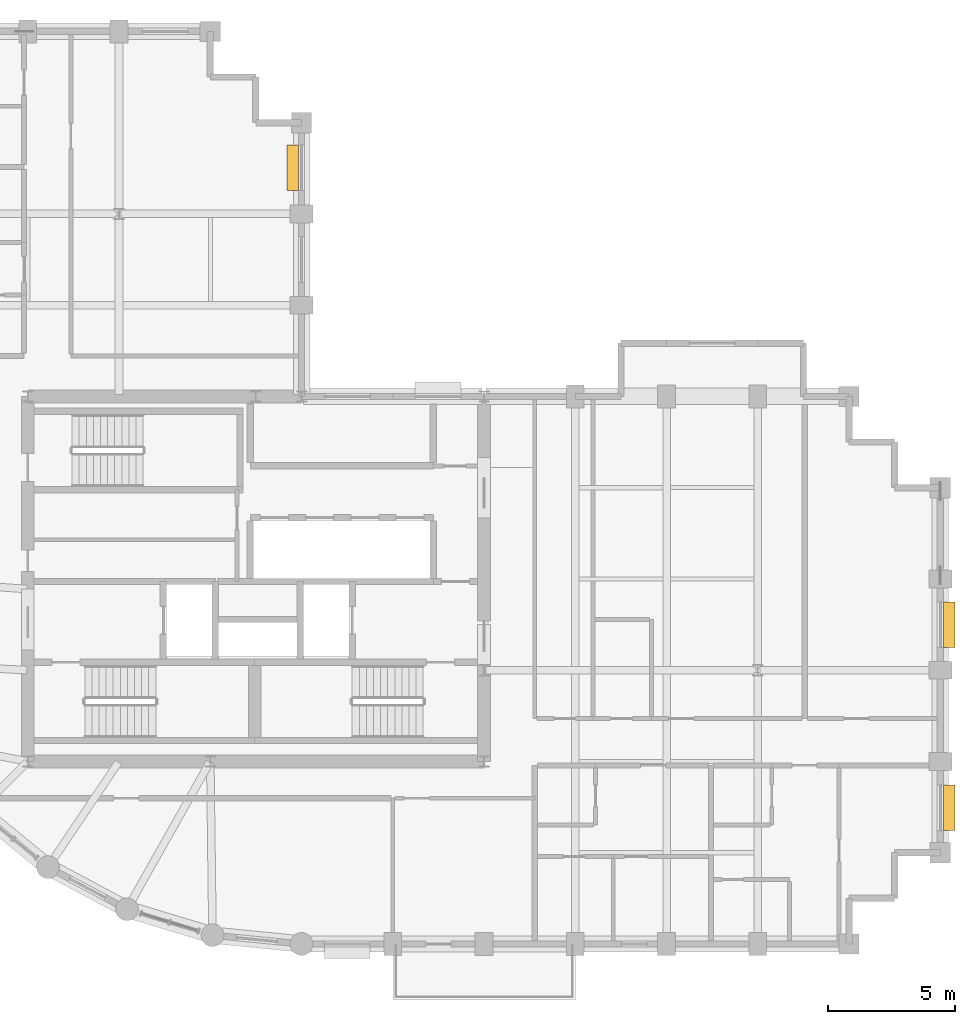
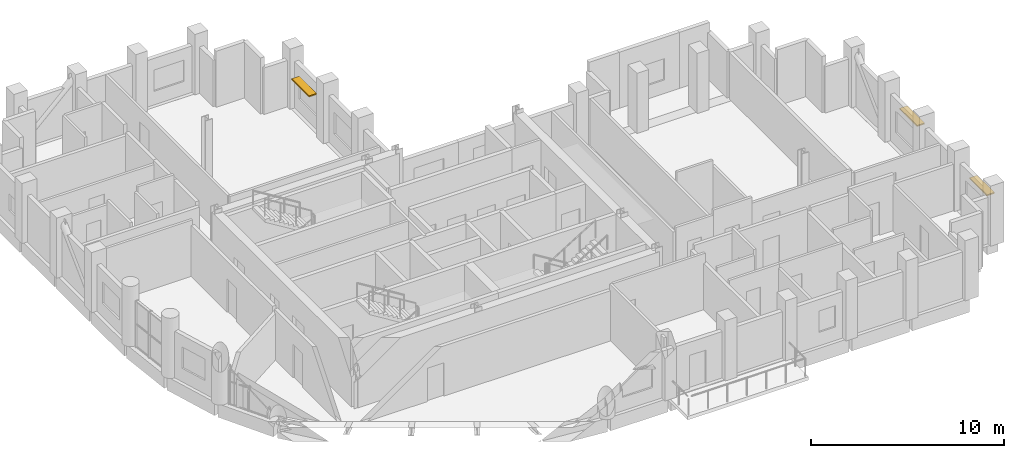
# One storey, part 12 of 12: 3 shading devices.
"""IFC4 building model written with IfcOpenShell, lengths in metres."""

from ifc_helpers import new_model, si_unit, direction, frame, origin, origin_2d, place, context, subcontext, project, spatial, rectangle, extrude, material, layer, layer_set, type_object, element, save


model = new_model("IFC4")

# Units and contexts
model_context = context("Model", 3, precision=1e-05, world=origin(), true_north=direction((0.0, 1.0)))
body_context = subcontext(model_context, "Body", "Model", "MODEL_VIEW")
ifc_project = project(units=[si_unit("LENGTHUNIT", "METRE"), si_unit("AREAUNIT", "SQUARE_METRE"), si_unit("VOLUMEUNIT", "CUBIC_METRE"), si_unit("PLANEANGLEUNIT", "RADIAN"), si_unit("MASSUNIT", "GRAM", prefix="KILO")], contexts=[model_context])

# Site, building, storey
site_placement = place(None, origin())
site = spatial("IfcSite", under=ifc_project, at=site_placement, CompositionType="ELEMENT")
building_placement = place(site_placement, origin())
building = spatial("IfcBuilding", under=site, at=building_placement, Name="Solnavia Interchange Tower", CompositionType="ELEMENT")
storey_placement = place(building_placement, frame((0.0, 0.0, 182.39990234375)))
storey = spatial("IfcBuildingStorey", under=building, at=storey_placement, Name="L45", CompositionType="ELEMENT", Elevation=182.39990234375)

# Shading devices
ifc_material = material(Name="Anodised Aluminium Sunshade", Category="aluminium")
ifc_layer = layer(ifc_material, 0.070068359375)
ifc_layer_set = layer_set([ifc_layer], Name="Anodised Aluminium Sunshade")
shading_device_type = type_object("IfcShadingDeviceType", Name="Sunshade-Band-450", PredefinedType="JALOUSIE", material=ifc_layer_set)
for number, where, z_axis, x_axis, name in (
    (1, (50.7451171875, 8.97509765625, 2.22509765625), (0.0, 0.0, 1.0), (0.0, -1.0, 0.0), "SHD-L45-11 Horizontal sunshade band"),
    (2, (50.7451171875, 16.199951171875, 2.22509765625), (0.0, 0.0, 1.0), (0.0, -1.0, 0.0), "SHD-L45-13 Horizontal sunshade band"),
    (3, (24.85498046875, 34.22509765625, 2.22509765625), (0.0, 0.0, 1.0), (0.0, 1.0, 0.0), "SHD-L45-31 Horizontal sunshade band"),
):
    element("IfcShadingDevice", number, at=place(storey_placement, frame(where, z_axis=z_axis, x_axis=x_axis)), inside=storey, type_object=shading_device_type, Name=name, PredefinedType="JALOUSIE", context=body_context, shape_type="SweptSolid", body=[
        extrude(rectangle(XDim=1.800048828125, YDim=0.449951171875, at=origin_2d()), origin(), (0.0, 0.0, 1.0), 0.070068359375),
    ])

save(model, "model.ifc")
